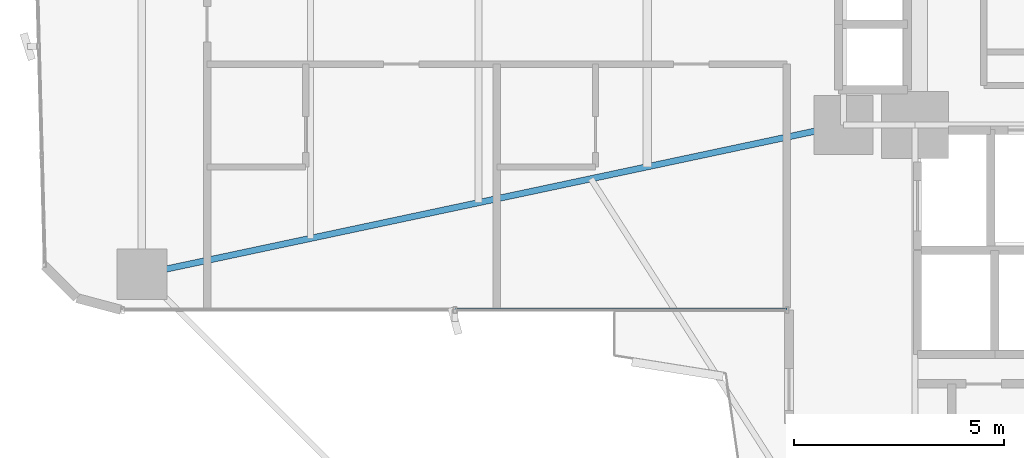
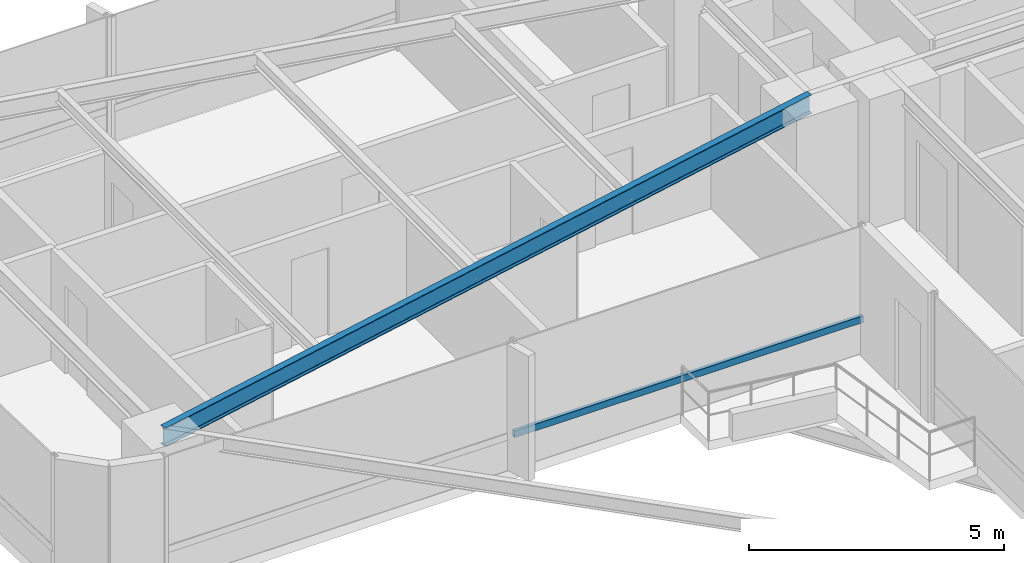
# One storey, part 7 of 25: 1 beam, 1 member, 1 element without a shape of its own.
"""IFC4 building model written with IfcOpenShell, lengths in metres."""

import ifcopenshell
import ifcopenshell.guid

model = None  # the IFC model being written
_history = None  # IfcOwnerHistory: only IFC2X3 demands one
_inside = {}  # id of a spatial element -> (the spatial element, [elements in it])
_under = {}  # id of a project, library or spatial element -> (it, [spatial elements below it])
_declared = {}  # id of a project -> (the project, [libraries it declares])
_typed = {}  # id of a type object -> (the type object, [elements of that type])
_made_of = {}  # id of a material, layer set ... -> (it, [elements and type objects made of it])


def new_model(schema):
    """Start an empty IFC model of exactly this schema.

    Asked for "IFC4X3", IfcOpenShell would pick the latest addendum, in which some entities
    have other attributes; the version numbers below select the first issue.
    IFC2X3 requires an IfcOwnerHistory on every rooted entity: one is made here for all.
    """
    global model, _history
    if schema == "IFC4X3":
        model = ifcopenshell.file(schema_version=(4, 3, 0, 0))
    else:
        model = ifcopenshell.file(schema=schema)
    _inside.clear()
    _under.clear()
    _declared.clear()
    _typed.clear()
    _made_of.clear()
    _history = None
    if model.schema == "IFC2X3":
        org = make("IfcOrganization", Name="unknown")
        user = make(
            "IfcPersonAndOrganization",
            ThePerson=make("IfcPerson", FamilyName="unknown"),
            TheOrganization=org,
        )
        app = make(
            "IfcApplication",
            ApplicationDeveloper=org,
            Version="unknown",
            ApplicationFullName="unknown",
            ApplicationIdentifier="unknown",
        )
        _history = make(
            "IfcOwnerHistory",
            OwningUser=user,
            OwningApplication=app,
            ChangeAction="ADDED",
            CreationDate=0,
        )
    return model


def make(cls, **values):
    """One entity of the class cls with the attributes given. An attribute that is None is left unset."""
    return model.create_entity(
        cls, **{name: value for name, value in values.items() if value is not None}
    )


def rooted(cls, **values):
    """An entity with a GlobalId (a new one), such as an element, a storey or a relation."""
    return make(cls, GlobalId=ifcopenshell.guid.new(), OwnerHistory=_history, **values)


def si_unit(unit_type, name, prefix=None):
    """IfcSIUnit, for example si_unit("LENGTHUNIT", "METRE", prefix="MILLI")."""
    return make("IfcSIUnit", UnitType=unit_type, Prefix=prefix, Name=name)


def assignment(units):
    """IfcUnitAssignment: the units of a project."""
    return None if units is None else make("IfcUnitAssignment", Units=units)


def point(xyz):
    """IfcCartesianPoint."""
    return None if xyz is None else make("IfcCartesianPoint", Coordinates=xyz)


def direction(xyz):
    """IfcDirection."""
    return None if xyz is None else make("IfcDirection", DirectionRatios=xyz)


def frame(location, z_axis=None, x_axis=None):
    """IfcAxis2Placement3D, a coordinate frame: its origin and axes. An axis left out is left unset."""
    return make(
        "IfcAxis2Placement3D",
        Location=point(location),
        Axis=direction(z_axis),
        RefDirection=direction(x_axis),
    )


def frame_2d(location, x_axis=None):
    """IfcAxis2Placement2D, a coordinate frame in the plane: its origin and x axis."""
    return make(
        "IfcAxis2Placement2D", Location=point(location), RefDirection=direction(x_axis)
    )


def origin():
    """The frame at (0, 0, 0) with its axes left unset."""
    return frame((0.0, 0.0, 0.0))


def origin_2d():
    """The frame at (0, 0) in the plane with its x axis left unset."""
    return frame_2d((0.0, 0.0))


def place(relative_to, where):
    """IfcLocalPlacement: puts the frame where relative to a parent placement (None: the world)."""
    return make(
        "IfcLocalPlacement", PlacementRelTo=relative_to, RelativePlacement=where
    )


def context(
    kind, dimensions, precision=None, world=None, true_north=None, identifier=None
):
    """IfcGeometricRepresentationContext, for example the 3D "Model" context."""
    return make(
        "IfcGeometricRepresentationContext",
        ContextIdentifier=identifier,
        ContextType=kind,
        CoordinateSpaceDimension=dimensions,
        Precision=precision,
        WorldCoordinateSystem=world,
        TrueNorth=true_north,
    )


def subcontext(parent, identifier, kind, view, scale=None):
    """IfcGeometricRepresentationSubContext, for example "Body" below "Model"."""
    return make(
        "IfcGeometricRepresentationSubContext",
        ContextIdentifier=identifier,
        ContextType=kind,
        ParentContext=parent,
        TargetScale=scale,
        TargetView=view,
    )


def project(units=None, contexts=None):
    """IfcProject with its units and contexts."""
    return rooted(
        "IfcProject",
        Name="project",
        RepresentationContexts=contexts,
        UnitsInContext=assignment(units),
    )


def spatial(cls, under=None, at=None, **own):
    """A site, building, storey or space (cls), placed at a placement, below another one or the project."""
    s = rooted(cls, ObjectPlacement=at, **own)
    if under is not None:
        _under.setdefault(under.id(), (under, []))[1].append(s)
    return s


def profile(cls, at=None, kind="AREA", **sizes):
    """A parametric profile (cls). Its sizes go by their IFC names, for example OverallWidth=200.0."""
    return make(cls, ProfileType=kind, Position=at, **sizes)


def hollow_rectangle(**sizes):
    """IfcRectangleHollowProfileDef."""
    return profile("IfcRectangleHollowProfileDef", **sizes)


def i_section(**sizes):
    """IfcIShapeProfileDef."""
    return profile("IfcIShapeProfileDef", **sizes)


def extrude(swept, where, along, depth):
    """IfcExtrudedAreaSolid: the profile swept, set in the frame where, extruded along a direction by depth."""
    return make(
        "IfcExtrudedAreaSolid",
        SweptArea=swept,
        Position=where,
        ExtrudedDirection=direction(along),
        Depth=depth,
    )


def shape(context_of_items, identifier, shape_type, items):
    """IfcShapeRepresentation: the items that make up one representation, for example the "Body"."""
    return make(
        "IfcShapeRepresentation",
        ContextOfItems=context_of_items,
        RepresentationIdentifier=identifier,
        RepresentationType=shape_type,
        Items=items,
    )


def source(mapping_origin, context_of_items, identifier, shape_type, items):
    """IfcRepresentationMap: a shape defined once, which mapped items show again and again."""
    return make(
        "IfcRepresentationMap",
        MappingOrigin=mapping_origin,
        MappedRepresentation=shape(context_of_items, identifier, shape_type, items),
    )


def transform(
    local_origin,
    x_axis=None,
    y_axis=None,
    z_axis=None,
    scale=None,
    scale2=None,
    scale3=None,
    uniform=True,
):
    """IfcCartesianTransformationOperator3D, or its non-uniform kind. x_axis, y_axis, z_axis: its Axis1, 2, 3."""
    if uniform:
        return make(
            "IfcCartesianTransformationOperator3D",
            Axis1=direction(x_axis),
            Axis2=direction(y_axis),
            LocalOrigin=point(local_origin),
            Scale=scale,
            Axis3=direction(z_axis),
        )
    return make(
        "IfcCartesianTransformationOperator3DnonUniform",
        Axis1=direction(x_axis),
        Axis2=direction(y_axis),
        LocalOrigin=point(local_origin),
        Scale=scale,
        Axis3=direction(z_axis),
        Scale2=scale2,
        Scale3=scale3,
    )


def mapped(mapping_source, mapping_target):
    """IfcMappedItem: shows the shape of a source again, moved by a transform."""
    return make(
        "IfcMappedItem", MappingSource=mapping_source, MappingTarget=mapping_target
    )


def material(Name=None, Category=None):
    """IfcMaterial."""
    return make("IfcMaterial", Name=Name, Category=Category)


def material_profile(
    of_material, cross_section, Name=None, Category=None, Priority=None
):
    """IfcMaterialProfile: a cross section and its material."""
    return make(
        "IfcMaterialProfile",
        Name=Name,
        Material=of_material,
        Profile=cross_section,
        Priority=Priority,
        Category=Category,
    )


def profile_set(profiles, Name=None, composite=None):
    """IfcMaterialProfileSet."""
    return make(
        "IfcMaterialProfileSet",
        Name=Name,
        MaterialProfiles=profiles,
        CompositeProfile=composite,
    )


def made_of(thing, what):
    """Note that an element or type object is made of a material, layer set ...; save() writes the relation."""
    if what is not None:
        _made_of.setdefault(what.id(), (what, []))[1].append(thing)
    return thing


def type_object(cls, material=None, **own):
    """A type object (cls), such as IfcWallType, which elements share."""
    return made_of(rooted(cls, **own), material)


def element(
    cls,
    number,
    at=None,
    inside=None,
    cuts=None,
    type_object=None,
    material=None,
    context=None,
    identifier="Body",
    shape_type=None,
    held_by="IfcProductDefinitionShape",
    body=None,
    shapes=None,
    **own,
):
    """One element of the class cls, such as IfcWall. Its Tag is "e" and its number.

    at: its placement. inside: the storey or other place that contains it. cuts: it is an
    opening in that element (IfcRelVoidsElement). A single representation is given by context,
    identifier, shape_type and body (its items); several are given by shapes. held_by: the class
    of the entity that holds the representations. save() writes the other relations.
    """
    e = rooted(cls, Tag="e%d" % number, ObjectPlacement=at, **own)
    if body is not None:
        shapes = [shape(context, identifier, shape_type, body)]
    if shapes is not None:
        e.Representation = make(held_by, Representations=shapes)
    if inside is not None:
        _inside.setdefault(inside.id(), (inside, []))[1].append(e)
    if cuts is not None:
        rooted(
            "IfcRelVoidsElement", RelatingBuildingElement=cuts, RelatedOpeningElement=e
        )
    if type_object is not None:
        _typed.setdefault(type_object.id(), (type_object, []))[1].append(e)
    return made_of(e, material)


def aggregate(whole, parts):
    """IfcRelAggregates: a whole, such as a stair, and the parts it consists of."""
    return rooted("IfcRelAggregates", RelatingObject=whole, RelatedObjects=parts)


def save(model, path):
    """Write the relations noted so far, then the file.

    IfcRelAggregates (storeys below a building ...), IfcRelContainedInSpatialStructure (elements
    in a storey), IfcRelDefinesByType, IfcRelAssociatesMaterial and IfcRelDeclares: one each for
    every whole, place, type object, material and project.
    """
    for whole, parts in _under.values():
        aggregate(whole, parts)
    for where, things in _inside.values():
        rooted(
            "IfcRelContainedInSpatialStructure",
            RelatedElements=things,
            RelatingStructure=where,
        )
    for kind, things in _typed.values():
        rooted("IfcRelDefinesByType", RelatedObjects=things, RelatingType=kind)
    for what, things in _made_of.values():
        rooted("IfcRelAssociatesMaterial", RelatedObjects=things, RelatingMaterial=what)
    for by, libraries in _declared.values():
        rooted("IfcRelDeclares", RelatingContext=by, RelatedDefinitions=libraries)
    model.write(path)


model = new_model("IFC4")

# Units and contexts
model_context = context("Model", 3, precision=1e-05, world=origin(), true_north=direction((0.0, 1.0)))
body_context = subcontext(model_context, "Body", "Model", "MODEL_VIEW")
ifc_project = project(units=[si_unit("LENGTHUNIT", "METRE"), si_unit("AREAUNIT", "SQUARE_METRE"), si_unit("VOLUMEUNIT", "CUBIC_METRE"), si_unit("PLANEANGLEUNIT", "RADIAN"), si_unit("MASSUNIT", "GRAM", prefix="KILO")], contexts=[model_context])

# Site, building, storey
site_placement = place(None, origin())
site = spatial("IfcSite", under=ifc_project, at=site_placement, CompositionType="ELEMENT")
building_placement = place(site_placement, origin())
building = spatial("IfcBuilding", under=site, at=building_placement, Name="Sahyath Konkavel Grand Hotel", CompositionType="ELEMENT")
storey_placement = place(building_placement, frame((0.0, 0.0, 67.800048828125)))
storey = spatial("IfcBuildingStorey", under=building, at=storey_placement, Name="L18", CompositionType="ELEMENT", Elevation=67.800048828125)

# Beam
ifc_material_1 = material(Name="Steel E350", Category="steel")
ifc_material_profile_1 = material_profile(ifc_material_1, i_section(OverallWidth=0.14990234375, OverallDepth=0.449951171875, WebThickness=0.009521484375, FlangeThickness=0.017333984375, FilletRadius=0.014892578125, at=origin_2d()), Name="ISMB 450")
ifc_profile_set_1 = profile_set([ifc_material_profile_1], Name="Steel E350")
beam_type = type_object("IfcBeamType", Name="BM-ISMB450", PredefinedType="BEAM", material=ifc_profile_set_1)
shared_shape_1 = source(origin(), body_context, "Body", "SweptSolid", [
    extrude(i_section(OverallWidth=0.14990234375, OverallDepth=0.449951171875, WebThickness=0.009521484375, FlangeThickness=0.017333984375, FilletRadius=0.014892578125, at=origin_2d()), origin(), (0.0, 0.0, 1.0), 17.072998046875),
])
beam_placement = place(storey_placement, frame((-5.5, -2.39990234375, 2.885009765625), z_axis=(-0.978143257225, -0.20793212437, 0.0), x_axis=(0.20793212437, -0.978143257225, 0.0)))
element("IfcBeam", 1, at=beam_placement, inside=storey, type_object=beam_type, Name="L18 Cruciform Radial Girder WB", PredefinedType="BEAM", context=body_context, shape_type="MappedRepresentation", body=[
    mapped(shared_shape_1, transform((0.0, 0.0, 0.0), scale=1.0)),
])

# Curtain wall, member
ifc_material_2 = material(Name="Anodised Bronze Aluminium & Low-E Glazing", Category="aluminium")
curtain_wall_type = type_object("IfcCurtainWallType", Name="CW-ZONE1", PredefinedType="NOTDEFINED", material=ifc_material_2)
curtain_wall_placement = place(storey_placement, origin())
curtain_wall = element("IfcCurtainWall", 2, at=curtain_wall_placement, inside=storey, type_object=curtain_wall_type, Name="L18 Unitised Curtain Wall F23", PredefinedType="NOTDEFINED")
ifc_material_3 = material(Name="Anodised Bronze Aluminium", Category="aluminium")
ifc_material_profile_2 = material_profile(ifc_material_3, hollow_rectangle(XDim=0.080078125, YDim=0.159912109375, WallThickness=0.006103515625, at=origin_2d()), Name="RHS 160x80x6")
ifc_profile_set_2 = profile_set([ifc_material_profile_2], Name="Anodised Bronze Aluminium")
member_type = type_object("IfcMemberType", Name="CW-TRN-160", PredefinedType="USERDEFINED", material=ifc_profile_set_2)
shared_shape_2 = source(origin(), body_context, "Body", "SweptSolid", [
    extrude(hollow_rectangle(XDim=0.080078125, YDim=0.159912109375, WallThickness=0.006103515625, at=origin_2d()), origin(), (0.0, 0.0, 1.0), 7.909912109375),
])
member_placement = place(storey_placement, frame((-14.75, -6.800048828125, 0.849853515625), z_axis=(1.0, 0.0, 0.0), x_axis=(0.0, 1.0, 0.0)))
member = element("IfcMember", 3, at=member_placement, type_object=member_type, Name="L18 Curtain Wall Transom F23-1-spandrel", ObjectType="TRANSOM", PredefinedType="USERDEFINED", context=body_context, shape_type="MappedRepresentation", body=[
    mapped(shared_shape_2, transform((0.0, 0.0, 0.0), scale=1.0)),
])
aggregate(curtain_wall, [member])

save(model, "model.ifc")
